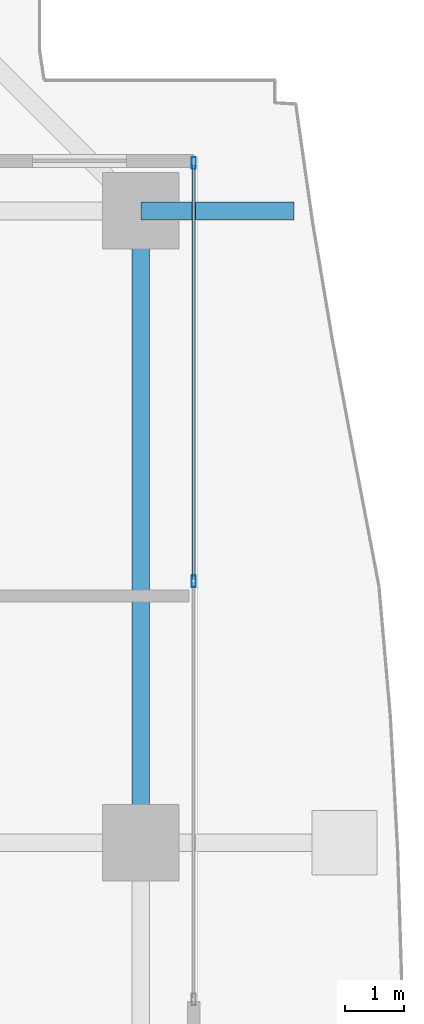
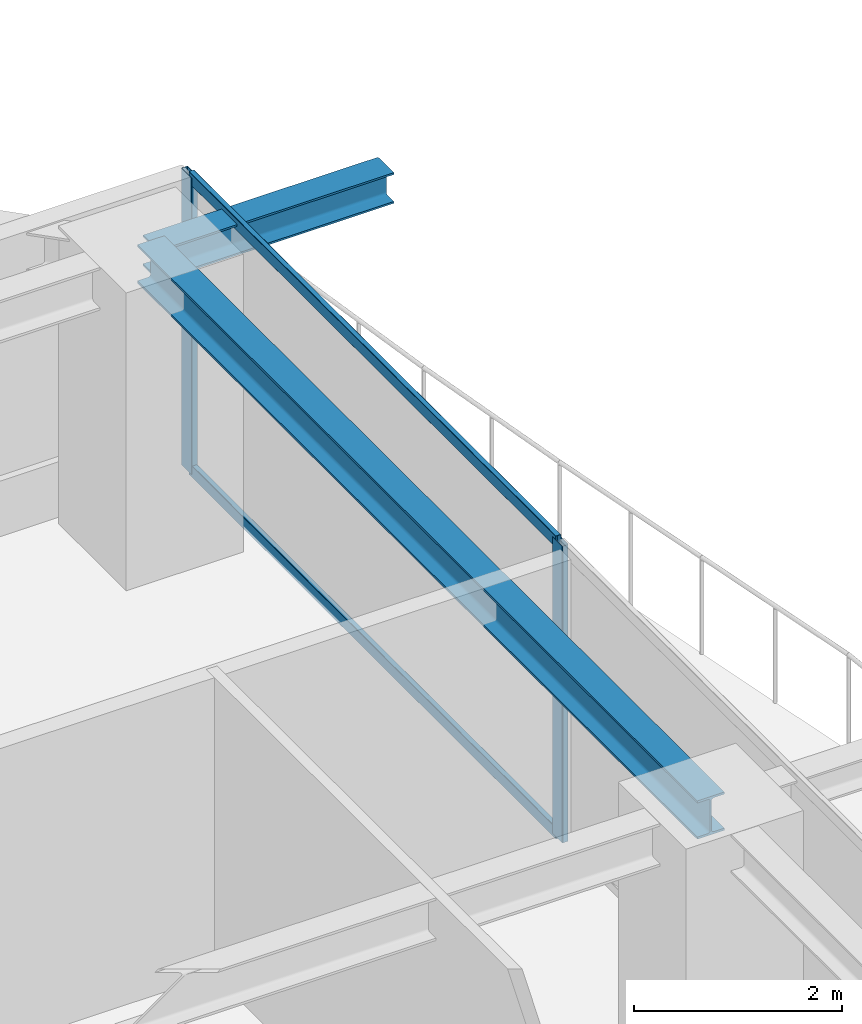
# One storey, part 24 of 37: 4 members, 2 beams, 1 element without a shape of its own.
"""IFC4 building model written with IfcOpenShell, lengths in metres."""

from ifc_helpers import new_model, si_unit, direction, frame, origin, origin_2d, place, context, subcontext, project, spatial, hollow_rectangle, i_section, extrude, source, transform, mapped, material, layer, layer_set, material_profile, profile_set, type_object, element, aggregate, save


model = new_model("IFC4")

# Units and contexts
model_context = context("Model", 3, precision=1e-05, world=origin(), true_north=direction((0.0, 1.0)))
body_context = subcontext(model_context, "Body", "Model", "MODEL_VIEW")
ifc_project = project(units=[si_unit("LENGTHUNIT", "METRE"), si_unit("AREAUNIT", "SQUARE_METRE"), si_unit("VOLUMEUNIT", "CUBIC_METRE"), si_unit("PLANEANGLEUNIT", "RADIAN"), si_unit("MASSUNIT", "GRAM", prefix="KILO")], contexts=[model_context])

# Site, building, storey
site_placement = place(None, origin())
site = spatial("IfcSite", under=ifc_project, at=site_placement, CompositionType="ELEMENT")
building_placement = place(site_placement, origin())
building = spatial("IfcBuilding", under=site, at=building_placement, Name="Serunith Strait Residences", CompositionType="ELEMENT")
storey_placement = place(building_placement, frame((0.0, 0.0, 161.39990234375)))
storey = spatial("IfcBuildingStorey", under=building, at=storey_placement, Name="L40", CompositionType="ELEMENT", Elevation=161.39990234375)

# Beams
ifc_material_1 = material(Name="Steel S355J2", Category="steel")
ifc_material_profile_1 = material_profile(ifc_material_1, i_section(OverallWidth=0.300048828125, OverallDepth=0.449951171875, WebThickness=0.013916015625, FlangeThickness=0.02587890625, FilletRadius=0.027099609375, at=origin_2d()), Name="HEB 450")
ifc_profile_set_1 = profile_set([ifc_material_profile_1], Name="Steel S355J2")
beam_type_1 = type_object("IfcBeamType", Name="BM-HEB450", PredefinedType="BEAM", material=ifc_profile_set_1)
shared_shape_1 = source(origin(), body_context, "Body", "SweptSolid", [
    extrude(i_section(OverallWidth=0.300048828125, OverallDepth=0.449951171875, WebThickness=0.013916015625, FlangeThickness=0.02587890625, FilletRadius=0.027099609375, at=origin_2d()), origin(), (0.0, 0.0, 1.0), 10.75),
])
beam_1_placement = place(storey_placement, frame((56.10009765625, 29.39990234375, 3.26220703125), z_axis=(0.0, 1.0, 0.0), x_axis=(-1.0, 0.0, 0.0)))
element("IfcBeam", 1, at=beam_1_placement, inside=storey, type_object=beam_type_1, Name="L40 Perimeter Ring Beam 07", PredefinedType="BEAM", context=body_context, shape_type="MappedRepresentation", body=[
    mapped(shared_shape_1, transform((0.0, 0.0, 0.0), scale=1.0)),
])
ifc_material_profile_2 = material_profile(ifc_material_1, i_section(OverallWidth=0.300048828125, OverallDepth=0.360107421875, WebThickness=0.012451171875, FlangeThickness=0.0224609375, FilletRadius=0.027099609375, at=origin_2d()), Name="HEB 360")
ifc_profile_set_2 = profile_set([ifc_material_profile_2], Name="Steel S355J2")
beam_type_2 = type_object("IfcBeamType", Name="BM-HEB360", PredefinedType="BEAM", material=ifc_profile_set_2)
shared_shape_2 = source(origin(), body_context, "Body", "SweptSolid", [
    extrude(i_section(OverallWidth=0.300048828125, OverallDepth=0.360107421875, WebThickness=0.012451171875, FlangeThickness=0.0224609375, FilletRadius=0.027099609375, at=origin_2d()), origin(), (0.0, 0.0, 1.0), 2.60498046875),
])
beam_2_placement = place(storey_placement, frame((56.10009765625, 40.14990234375, 3.277099609375), z_axis=(1.0, 0.0, 0.0), x_axis=(0.0, 1.0, 0.0)))
element("IfcBeam", 2, at=beam_2_placement, inside=storey, type_object=beam_type_2, Name="L41 Cantilevered Balcony Rib TC-E4", PredefinedType="BEAM", context=body_context, shape_type="MappedRepresentation", body=[
    mapped(shared_shape_2, transform((0.0, 0.0, 0.0), scale=1.0)),
])

# Curtain wall, members
ifc_material_2 = material(Name="Pale-Champagne Anodised Aluminium", Category="aluminium")
ifc_layer = layer(ifc_material_2, 0.199951171875, Name="Pale-Champagne Anodised Aluminium")
ifc_layer_set = layer_set([ifc_layer], Name="Pale-Champagne Anodised Aluminium")
curtain_wall_type = type_object("IfcCurtainWallType", Name="CW-SYS2", PredefinedType="NOTDEFINED", material=ifc_layer_set)
curtain_wall_placement = place(storey_placement, origin())
curtain_wall = element("IfcCurtainWall", 3, at=curtain_wall_placement, inside=storey, type_object=curtain_wall_type, Name="L40 E Unitised Fritted Curtain Wall", PredefinedType="NOTDEFINED")
ifc_material_profile_3 = material_profile(ifc_material_2, hollow_rectangle(XDim=0.070068359375, YDim=0.199951171875, WallThickness=0.00390625, InnerFilletRadius=0.006103515625, OuterFilletRadius=0.010009765625, at=origin_2d()), Name="ALU 200x70x4")
ifc_profile_set_3 = profile_set([ifc_material_profile_3], Name="Pale-Champagne Anodised Aluminium")
member_type_1 = type_object("IfcMemberType", Name="CW-SYS2-MULL", PredefinedType="MULLION", material=ifc_profile_set_3)
shared_shape_3 = source(origin(), body_context, "Body", "SweptSolid", [
    extrude(hollow_rectangle(XDim=0.070068359375, YDim=0.199951171875, WallThickness=0.00390625, InnerFilletRadius=0.006103515625, OuterFilletRadius=0.010009765625, at=origin_2d()), origin(), (0.0, 0.0, 1.0), 3.47509765625),
])
member_1_placement = place(storey_placement, frame((57.0, 33.85009765625, 0.0), z_axis=(0.0, 0.0, 1.0), x_axis=(-1.0, 0.0, 0.0)))
member_1 = element("IfcMember", 4, at=member_1_placement, type_object=member_type_1, Name="CW-2 mullion 2", PredefinedType="MULLION", context=body_context, shape_type="MappedRepresentation", body=[
    mapped(shared_shape_3, transform((0.0, 0.0, 0.0), scale=1.0)),
])
member_2_placement = place(storey_placement, frame((57.0, 40.965087890625, 0.0), z_axis=(0.0, 0.0, 1.0), x_axis=(-1.0, 0.0, 0.0)))
member_2 = element("IfcMember", 5, at=member_2_placement, type_object=member_type_1, Name="CW-2 mullion 3", PredefinedType="MULLION", context=body_context, shape_type="MappedRepresentation", body=[
    mapped(shared_shape_3, transform((0.0, 0.0, 0.0), scale=1.0)),
])
ifc_material_profile_4 = material_profile(ifc_material_2, hollow_rectangle(XDim=0.06005859375, YDim=0.139892578125, WallThickness=0.00341796875, InnerFilletRadius=0.00537109375, OuterFilletRadius=0.0087890625, at=origin_2d()), Name="ALU 140x60x3.5")
ifc_profile_set_4 = profile_set([ifc_material_profile_4], Name="Pale-Champagne Anodised Aluminium")
member_type_2 = type_object("IfcMemberType", Name="CW-SYS2-TRAN", PredefinedType="USERDEFINED", material=ifc_profile_set_4)
shared_shape_4 = source(origin(), body_context, "Body", "SweptSolid", [
    extrude(hollow_rectangle(XDim=0.06005859375, YDim=0.139892578125, WallThickness=0.00341796875, InnerFilletRadius=0.00537109375, OuterFilletRadius=0.0087890625, at=origin_2d()), origin(), (0.0, 0.0, 1.0), 7.044921875),
])
member_3_placement = place(storey_placement, frame((57.0, 33.885009765625, 0.030029296875), z_axis=(0.0, 1.0, 0.0), x_axis=(-1.0, 0.0, 0.0)))
member_3 = element("IfcMember", 6, at=member_3_placement, type_object=member_type_2, Name="CW-2 transom 2.1", ObjectType="TRANSOM", PredefinedType="USERDEFINED", context=body_context, shape_type="MappedRepresentation", body=[
    mapped(shared_shape_4, transform((0.0, 0.0, 0.0), scale=1.0)),
])
member_4_placement = place(storey_placement, frame((57.0, 33.885009765625, 3.445068359375), z_axis=(0.0, 1.0, 0.0), x_axis=(-1.0, 0.0, 0.0)))
member_4 = element("IfcMember", 7, at=member_4_placement, type_object=member_type_2, Name="CW-2 transom 2.2", ObjectType="TRANSOM", PredefinedType="USERDEFINED", context=body_context, shape_type="MappedRepresentation", body=[
    mapped(shared_shape_4, transform((0.0, 0.0, 0.0), scale=1.0)),
])
aggregate(curtain_wall, [member_1, member_2, member_3, member_4])

save(model, "model.ifc")
